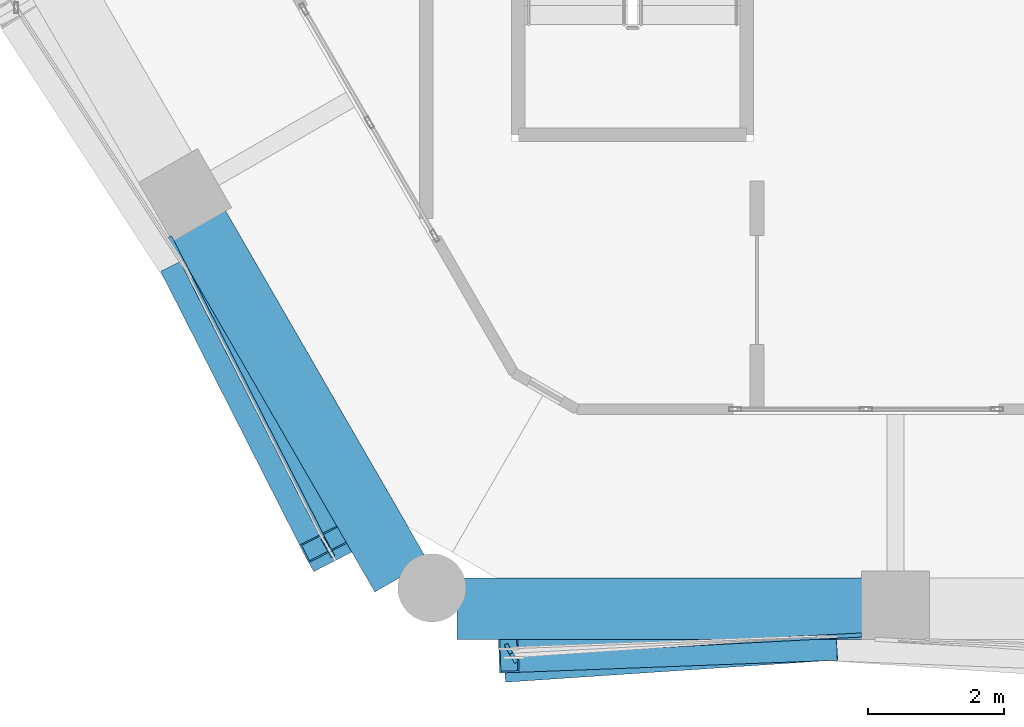
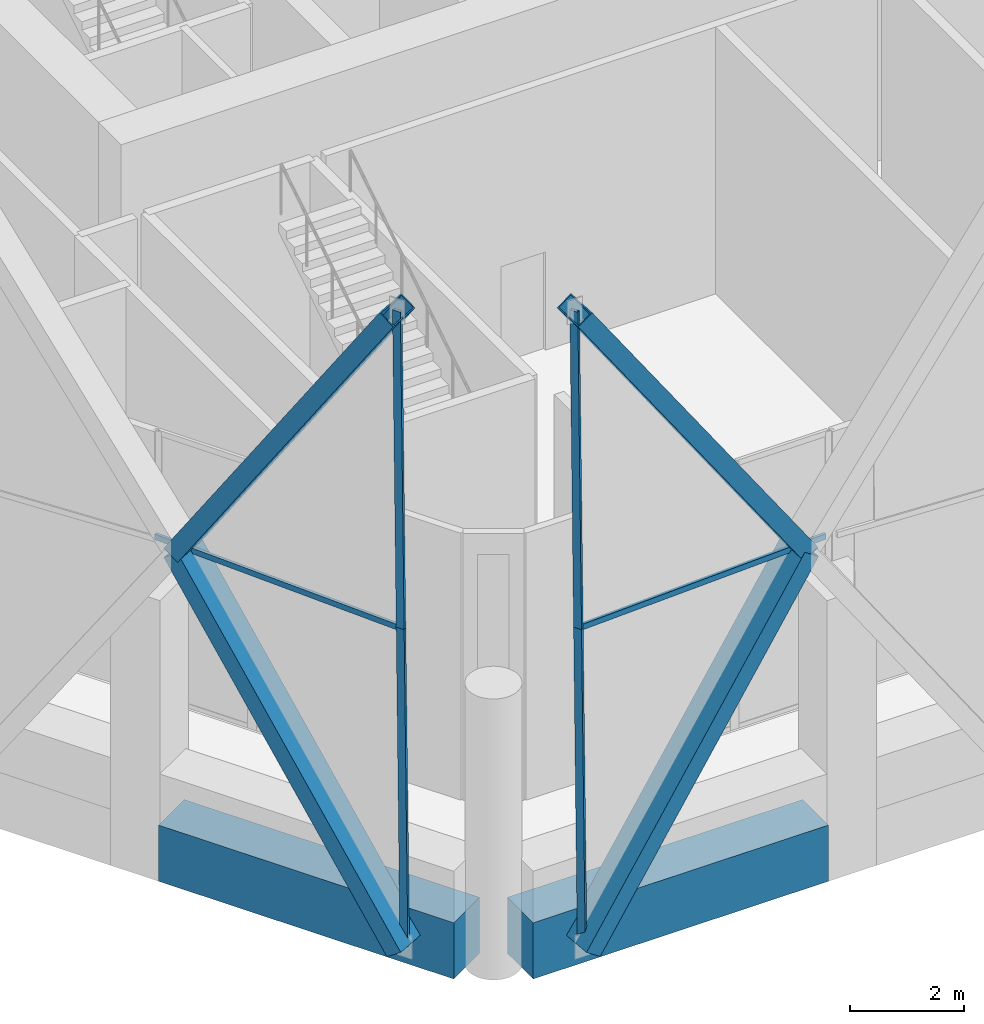
# One storey, part 2 of 43: 10 members, 2 beams, 4 elements without a shape of their own.
"""IFC4 building model written with IfcOpenShell, lengths in metres."""

from ifc_helpers import new_model, si_unit, direction, frame, origin, origin_2d, place, context, subcontext, project, spatial, rectangle, hollow_rectangle, extrude, material, material_profile, profile_set, type_object, element, aggregate, save


model = new_model("IFC4")

# Units and contexts
model_context = context("Model", 3, precision=1e-05, world=origin(), true_north=direction((0.0, 1.0)))
body_context = subcontext(model_context, "Body", "Model", "MODEL_VIEW")
ifc_project = project(units=[si_unit("LENGTHUNIT", "METRE"), si_unit("AREAUNIT", "SQUARE_METRE"), si_unit("VOLUMEUNIT", "CUBIC_METRE"), si_unit("PLANEANGLEUNIT", "RADIAN"), si_unit("MASSUNIT", "GRAM", prefix="KILO")], contexts=[model_context])

# Site, building, storey
site_placement = place(None, origin())
site = spatial("IfcSite", under=ifc_project, at=site_placement, CompositionType="ELEMENT")
building_placement = place(site_placement, origin())
building = spatial("IfcBuilding", under=site, at=building_placement, Name="Ostrander Bayou Hotel Tower", CompositionType="ELEMENT")
storey_placement = place(building_placement, frame((0.0, 0.0, 151.0)))
storey = spatial("IfcBuildingStorey", under=building, at=storey_placement, Name="L37", CompositionType="ELEMENT", Elevation=151.0)

# Curtain wall, members
ifc_material_1 = material(Name="Aluminium and clear glass", Category="aluminium")
curtain_wall_type = type_object("IfcCurtainWallType", Name="CW-LAT lattice glazing", PredefinedType="NOTDEFINED", material=ifc_material_1)
curtain_wall_1_placement = place(storey_placement, origin())
curtain_wall_1 = element("IfcCurtainWall", 1, at=curtain_wall_1_placement, inside=storey, type_object=curtain_wall_type, Name="CW-LAT L37 SW 1", PredefinedType="NOTDEFINED")
ifc_material_2 = material(Name="Aluminium", Category="aluminium")
ifc_material_profile_1 = material_profile(ifc_material_2, hollow_rectangle(XDim=0.06005859375, YDim=0.159912109375, WallThickness=0.00390625, at=origin_2d()))
ifc_profile_set_1 = profile_set([ifc_material_profile_1], Name="Aluminium")
member_type_1 = type_object("IfcMemberType", Name="CW-LA mullion 60 x 160 mm", PredefinedType="MULLION", material=ifc_profile_set_1)
member_1_placement = place(storey_placement, frame((-11.90576171875, -17.5185546875, -0.60009765625), z_axis=(-0.005605838716, 0.009728842675, 0.999936960109), x_axis=(-0.866453581547, -0.499257639925, 0.0)))
member_1 = element("IfcMember", 2, at=member_1_placement, type_object=member_type_1, Name="CW-LAT mullion 8", PredefinedType="MULLION", context=body_context, shape_type="SweptSolid", body=[
    extrude(hollow_rectangle(XDim=0.06005859375, YDim=0.159912109375, WallThickness=0.00390625, at=origin_2d()), origin(), (0.0, 0.0, 1.0), 6.75048828125),
])
member_2_placement = place(storey_placement, frame((-11.943603515625, -17.452880859375, 6.14990234375), z_axis=(-0.005605842646, 0.009656516042, 0.99993766117), x_axis=(-0.864834315404, -0.502057374111, 0.0)))
member_2 = element("IfcMember", 3, at=member_2_placement, type_object=member_type_1, Name="CW-LAT mullion 9", PredefinedType="MULLION", context=body_context, shape_type="SweptSolid", body=[
    extrude(hollow_rectangle(XDim=0.06005859375, YDim=0.159912109375, WallThickness=0.00390625, at=origin_2d()), origin(), (0.0, 0.0, 1.0), 6.75048828125),
])
aggregate(curtain_wall_1, [member_1, member_2])

curtain_wall_2_placement = place(storey_placement, origin())
curtain_wall_2 = element("IfcCurtainWall", 4, at=curtain_wall_2_placement, inside=storey, type_object=curtain_wall_type, Name="CW-LAT L37 S 1", PredefinedType="NOTDEFINED")
member_3_placement = place(storey_placement, frame((-9.218505859375, -19.070068359375, -0.60009765625), z_axis=(-0.005605838716, 0.009728842675, 0.999936960109), x_axis=(-0.866453581547, -0.499257639925, 0.0)))
member_3 = element("IfcMember", 5, at=member_3_placement, type_object=member_type_1, Name="CW-LAT mullion 1", PredefinedType="MULLION", context=body_context, shape_type="SweptSolid", body=[
    extrude(hollow_rectangle(XDim=0.06005859375, YDim=0.159912109375, WallThickness=0.00390625, at=origin_2d()), origin(), (0.0, 0.0, 1.0), 6.75048828125),
])
member_4_placement = place(storey_placement, frame((-9.25634765625, -19.00439453125, 6.14990234375), z_axis=(-0.005605842646, 0.009656516042, 0.99993766117), x_axis=(-0.864834315404, -0.502057374111, 0.0)))
member_4 = element("IfcMember", 6, at=member_4_placement, type_object=member_type_1, Name="CW-LAT mullion 2", PredefinedType="MULLION", context=body_context, shape_type="SweptSolid", body=[
    extrude(hollow_rectangle(XDim=0.06005859375, YDim=0.159912109375, WallThickness=0.00390625, at=origin_2d()), origin(), (0.0, 0.0, 1.0), 6.75048828125),
])
aggregate(curtain_wall_2, [member_3, member_4])

# Curtain wall, member
curtain_wall_3_placement = place(storey_placement, origin())
curtain_wall_3 = element("IfcCurtainWall", 7, at=curtain_wall_3_placement, inside=storey, type_object=curtain_wall_type, Name="CW-LAT L37 SW 2", PredefinedType="NOTDEFINED")
ifc_material_3 = material(Name="Aluminium", Category="aluminium")
ifc_material_profile_2 = material_profile(ifc_material_3, hollow_rectangle(XDim=0.06005859375, YDim=0.1201171875, WallThickness=0.00390625, at=origin_2d()))
ifc_profile_set_2 = profile_set([ifc_material_profile_2], Name="Aluminium")
member_type_2 = type_object("IfcMemberType", Name="CW-LA transom 60 x 120 mm", PredefinedType="USERDEFINED", material=ifc_profile_set_2)
member_5_placement = place(storey_placement, frame((-11.943603515625, -17.452880859375, 6.14990234375), z_axis=(-0.453613468938, 0.891198530518, 0.0), x_axis=(-0.891198530518, -0.453613468938, 0.0)))
member_5 = element("IfcMember", 8, at=member_5_placement, type_object=member_type_2, Name="CW-LAT transom 10", ObjectType="TRANSOM", PredefinedType="USERDEFINED", context=body_context, shape_type="SweptSolid", body=[
    extrude(hollow_rectangle(XDim=0.06005859375, YDim=0.1201171875, WallThickness=0.00390625, at=origin_2d()), origin(), (0.0, 0.0, 1.0), 5.117919921875),
])
aggregate(curtain_wall_3, [member_5])

curtain_wall_4_placement = place(storey_placement, origin())
curtain_wall_4 = element("IfcCurtainWall", 9, at=curtain_wall_4_placement, inside=storey, type_object=curtain_wall_type, Name="CW-LAT L37 S 2", PredefinedType="NOTDEFINED")
member_6_placement = place(storey_placement, frame((-9.25634765625, -19.00439453125, 6.14990234375), z_axis=(0.998641842643, 0.052100576985, 0.0), x_axis=(-0.052100576985, 0.998641842643, 0.0)))
member_6 = element("IfcMember", 10, at=member_6_placement, type_object=member_type_2, Name="CW-LAT transom 3", ObjectType="TRANSOM", PredefinedType="USERDEFINED", context=body_context, shape_type="SweptSolid", body=[
    extrude(hollow_rectangle(XDim=0.06005859375, YDim=0.1201171875, WallThickness=0.00390625, at=origin_2d()), origin(), (0.0, 0.0, 1.0), 5.145263671875),
])
aggregate(curtain_wall_4, [member_6])

# Members
ifc_material_4 = material(Name="Steel ASTM A572 Gr 50", Category="steel")
ifc_material_profile_3 = material_profile(ifc_material_4, hollow_rectangle(XDim=0.699951171875, YDim=0.35009765625, WallThickness=0.02490234375, at=origin_2d()))
ifc_profile_set_3 = profile_set([ifc_material_profile_3], Name="Steel ASTM A572 Gr 50")
member_type_3 = type_object("IfcMemberType", Name="LT1 lattice member box 700 x 350 x 25 mm", PredefinedType="BRACE", material=ifc_profile_set_3)
member_7_placement = place(storey_placement, frame((-14.020263671875, -13.373291015625, 6.14990234375), z_axis=(0.257910533039, -0.505607082376, -0.823312598712), x_axis=(0.890799143391, 0.454397277867, 0.0)))
element("IfcMember", 11, at=member_7_placement, inside=storey, type_object=member_type_3, Name="LT1 L37 SW 7", PredefinedType="BRACE", context=body_context, shape_type="SweptSolid", body=[
    extrude(hollow_rectangle(XDim=0.699951171875, YDim=0.35009765625, WallThickness=0.02490234375, at=origin_2d()), origin(), (0.0, 0.0, 1.0), 8.198486328125),
])
member_8_placement = place(storey_placement, frame((-14.020263671875, -13.373291015625, 6.14990234375), z_axis=(0.251276012821, -0.494758888614, 0.831909855404), x_axis=(0.891600760709, 0.45282235314, 0.0)))
element("IfcMember", 12, at=member_8_placement, inside=storey, type_object=member_type_3, Name="LT1 L37 SW 8", PredefinedType="BRACE", context=body_context, shape_type="SweptSolid", body=[
    extrude(hollow_rectangle(XDim=0.699951171875, YDim=0.35009765625, WallThickness=0.02490234375, at=origin_2d()), origin(), (0.0, 0.0, 1.0), 8.11376953125),
])
member_9_placement = place(storey_placement, frame((-4.628173828125, -18.762939453125, 6.14990234375), z_axis=(-0.561940227992, -0.03759817077, -0.826322913708), x_axis=(0.066758515359, -0.997769161994, 0.0)))
element("IfcMember", 13, at=member_9_placement, inside=storey, type_object=member_type_3, Name="LT1 L37 S 1", PredefinedType="BRACE", context=body_context, shape_type="SweptSolid", body=[
    extrude(hollow_rectangle(XDim=0.699951171875, YDim=0.35009765625, WallThickness=0.02490234375, at=origin_2d()), origin(), (0.0, 0.0, 1.0), 8.168701171875),
])
member_10_placement = place(storey_placement, frame((-4.628173828125, -18.762939453125, 6.14990234375), z_axis=(-0.568496967619, -0.021476287705, 0.822404989573), x_axis=(0.037750385021, -0.999287200174, 0.0)))
element("IfcMember", 14, at=member_10_placement, inside=storey, type_object=member_type_3, Name="LT1 L37 S 2", PredefinedType="BRACE", context=body_context, shape_type="SweptSolid", body=[
    extrude(hollow_rectangle(XDim=0.699951171875, YDim=0.35009765625, WallThickness=0.02490234375, at=origin_2d()), origin(), (0.0, 0.0, 1.0), 8.20751953125),
])

# Beams
ifc_material_5 = material(Name="Concrete f'c 60 MPa", Category="concrete")
ifc_material_profile_4 = material_profile(ifc_material_5, rectangle(XDim=0.89990234375, YDim=1.199951171875, at=origin_2d()))
ifc_profile_set_4 = profile_set([ifc_material_profile_4], Name="Concrete f'c 60 MPa")
beam_type = type_object("IfcBeamType", Name="SP3 spandrel beam 900 x 1200 mm f'c 60 MPa", PredefinedType="SPANDREL", material=ifc_profile_set_4)
beam_1_placement = place(storey_placement, frame((-13.847412109375, -12.71533203125, -0.60009765625), z_axis=(0.49998703478, -0.866032889128, 0.0), x_axis=(0.866032889128, 0.49998703478, 0.0)))
element("IfcBeam", 15, at=beam_1_placement, inside=storey, type_object=beam_type, Name="SP3 L37 SW-3", PredefinedType="SPANDREL", context=body_context, shape_type="SweptSolid", body=[
    extrude(rectangle(XDim=0.89990234375, YDim=1.199951171875, at=origin_2d()), origin(), (0.0, 0.0, 1.0), 5.964111328125),
])
beam_2_placement = place(storey_placement, frame((-10.052001953125, -18.35009765625, -0.60009765625), z_axis=(1.0, 0.0, 0.0), x_axis=(0.0, 1.0, 0.0)))
element("IfcBeam", 16, at=beam_2_placement, inside=storey, type_object=beam_type, Name="SP3 L37 S-1", PredefinedType="SPANDREL", context=body_context, shape_type="SweptSolid", body=[
    extrude(rectangle(XDim=0.89990234375, YDim=1.199951171875, at=origin_2d()), origin(), (0.0, 0.0, 1.0), 5.9638671875),
])

save(model, "model.ifc")
